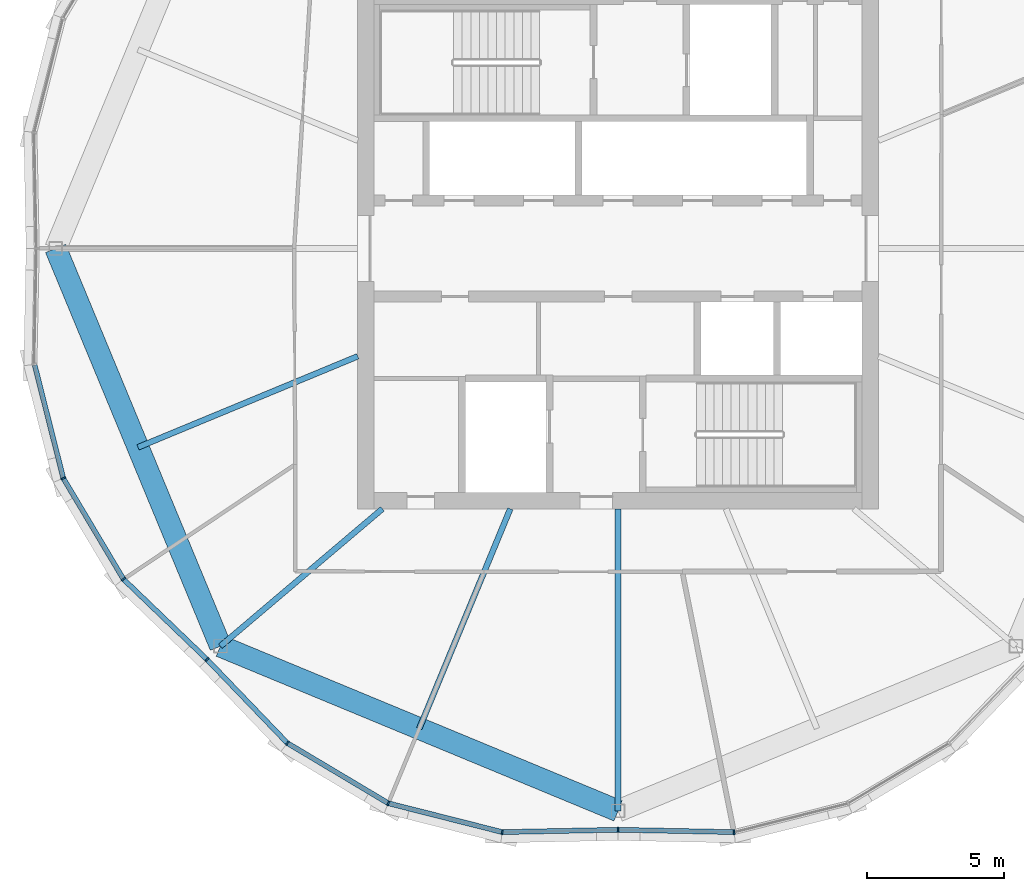
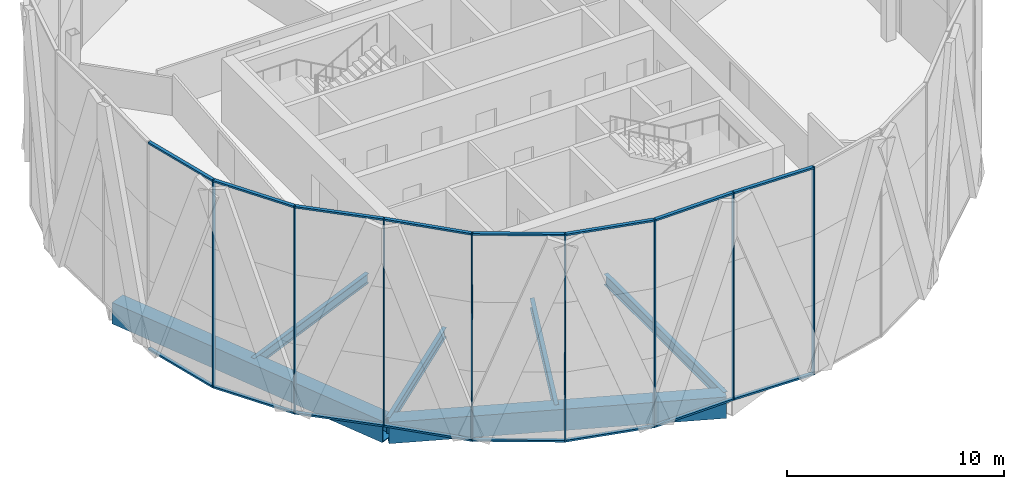
# One storey, part 3 of 25: 24 members, 6 beams, 3 elements without a shape of their own.
"""IFC4 building model written with IfcOpenShell, lengths in metres."""

from ifc_helpers import new_model, si_unit, direction, frame, origin, origin_2d, place, context, subcontext, project, spatial, rectangle, hollow_rectangle, i_section, extrude, material, material_profile, profile_set, type_object, element, aggregate, save


model = new_model("IFC4")

# Units and contexts
model_context = context("Model", 3, precision=1e-05, world=origin(), true_north=direction((0.0, 1.0)))
body_context = subcontext(model_context, "Body", "Model", "MODEL_VIEW")
ifc_project = project(units=[si_unit("LENGTHUNIT", "METRE"), si_unit("AREAUNIT", "SQUARE_METRE"), si_unit("VOLUMEUNIT", "CUBIC_METRE"), si_unit("PLANEANGLEUNIT", "RADIAN"), si_unit("MASSUNIT", "GRAM", prefix="KILO")], contexts=[model_context])

# Site, building, storey
site_placement = place(None, origin())
site = spatial("IfcSite", under=ifc_project, at=site_placement, CompositionType="ELEMENT")
building_placement = place(site_placement, origin())
building = spatial("IfcBuilding", under=site, at=building_placement, Name="Ogive Gate Towers", CompositionType="ELEMENT")
storey_placement = place(building_placement, frame((0.0, 0.0, 196.800048828125)))
storey = spatial("IfcBuildingStorey", under=building, at=storey_placement, Name="L47", CompositionType="ELEMENT", Elevation=196.800048828125)

# Beams
ifc_material_1 = material(Name="Steel SM460", Category="steel")
ifc_material_profile_1 = material_profile(ifc_material_1, hollow_rectangle(XDim=0.800048828125, YDim=1.199951171875, WallThickness=0.050048828125, at=origin_2d()), Name="BX 1200x800x50")
ifc_profile_set_1 = profile_set([ifc_material_profile_1], Name="Steel SM460")
beam_type_1 = type_object("IfcBeamType", Name="Edge girder BX 1200x800x50", PredefinedType="BEAM", material=ifc_profile_set_1)
for number, where, z_axis, x_axis, name in (
    (1, (-50.509765625, -14.509765625, -0.900146484375), (0.923877006731, -0.38268953008, 0.0), (0.38268953008, 0.923877006731, 0.0), "T1/L47/SBM017"),
    (2, (-56.52001953125, 0.0, -0.900146484375), (0.38268953008, -0.923877006731, 0.0), (0.923877006731, 0.38268953008, 0.0), "T1/L47/SBM024"),
):
    element("IfcBeam", number, at=place(storey_placement, frame(where, z_axis=z_axis, x_axis=x_axis)), inside=storey, type_object=beam_type_1, Name=name, PredefinedType="BEAM", context=body_context, shape_type="SweptSolid", body=[
        extrude(hollow_rectangle(XDim=0.800048828125, YDim=1.199951171875, WallThickness=0.050048828125, at=origin_2d()), origin(), (0.0, 0.0, 1.0), 15.705322265625),
    ])
ifc_material_2 = material(Name="Steel SM355", Category="steel")
ifc_material_profile_2 = material_profile(ifc_material_2, i_section(OverallWidth=0.2099609375, OverallDepth=0.550048828125, WebThickness=0.010986328125, FlangeThickness=0.01708984375, FilletRadius=0.02392578125, at=origin_2d()), Name="IPE 550")
ifc_profile_set_2 = profile_set([ifc_material_profile_2], Name="Steel SM355")
beam_type_2 = type_object("IfcBeamType", Name="Radial floor beam IPE 550", PredefinedType="BEAM", material=ifc_profile_set_2)
beam_1_placement = place(storey_placement, frame((-44.60009765625, -9.5, -0.574951171875), z_axis=(-0.762795484328, -0.64663981403, 0.0), x_axis=(0.64663981403, -0.762795484328, 0.0)))
element("IfcBeam", 3, at=beam_1_placement, inside=storey, type_object=beam_type_2, Name="T1/L47/SBM001", PredefinedType="BEAM", context=body_context, shape_type="SweptSolid", body=[
    extrude(i_section(OverallWidth=0.2099609375, OverallDepth=0.550048828125, WebThickness=0.010986328125, FlangeThickness=0.01708984375, FilletRadius=0.02392578125, at=origin_2d()), origin(), (0.0, 0.0, 1.0), 7.747314453125),
])
for number, where, z_axis, x_axis, name in (
    (4, (-39.93505859375, -9.5, -0.574951171875), (-0.382678218882, -0.92388169199, 0.0), (0.92388169199, -0.382678218882, 0.0), "T1/L47/SBM002"),
    (5, (-45.5, -3.93505859375, -0.574951171875), (-0.92388169199, -0.382678218882, 0.0), (0.382678218882, -0.92388169199, 0.0), "T1/L47/SBM016"),
):
    element("IfcBeam", number, at=place(storey_placement, frame(where, z_axis=z_axis, x_axis=x_axis)), inside=storey, type_object=beam_type_2, Name=name, PredefinedType="BEAM", context=body_context, shape_type="SweptSolid", body=[
        extrude(i_section(OverallWidth=0.2099609375, OverallDepth=0.550048828125, WebThickness=0.010986328125, FlangeThickness=0.01708984375, FilletRadius=0.02392578125, at=origin_2d()), origin(), (0.0, 0.0, 1.0), 8.67529296875),
    ])
ifc_material_profile_3 = material_profile(ifc_material_2, i_section(OverallWidth=0.219970703125, OverallDepth=0.60009765625, WebThickness=0.011962890625, FlangeThickness=0.01904296875, FilletRadius=0.02392578125, at=origin_2d()), Name="IPE 600")
ifc_profile_set_3 = profile_set([ifc_material_profile_3], Name="Steel SM355")
beam_type_3 = type_object("IfcBeamType", Name="Radial floor beam IPE 600", PredefinedType="BEAM", material=ifc_profile_set_3)
beam_2_placement = place(storey_placement, frame((-36.0, -9.5, -0.60009765625), z_axis=(0.0, -1.0, 0.0), x_axis=(1.0, 0.0, 0.0)))
element("IfcBeam", 6, at=beam_2_placement, inside=storey, type_object=beam_type_3, Name="T1/L47/SBM003", PredefinedType="BEAM", context=body_context, shape_type="SweptSolid", body=[
    extrude(i_section(OverallWidth=0.219970703125, OverallDepth=0.60009765625, WebThickness=0.011962890625, FlangeThickness=0.01904296875, FilletRadius=0.02392578125, at=origin_2d()), origin(), (0.0, 0.0, 1.0), 11.02001953125),
])

# Curtain wall, members
ifc_material_3 = material(Name="Pale metal aluminium", Category="aluminium")
curtain_wall_type = type_object("IfcCurtainWallType", Name="Tower unitised wall, high zone", PredefinedType="NOTDEFINED", material=ifc_material_3)
curtain_wall_1_placement = place(storey_placement, origin())
curtain_wall_1 = element("IfcCurtainWall", 7, at=curtain_wall_1_placement, inside=storey, type_object=curtain_wall_type, Name="CW2 T1 ECW05", PredefinedType="NOTDEFINED")
ifc_material_profile_4 = material_profile(ifc_material_3, rectangle(XDim=0.179931640625, YDim=0.06005859375, at=origin_2d()), Name="60 x 180 aluminium box")
ifc_profile_set_4 = profile_set([ifc_material_profile_4], Name="Pale metal aluminium")
member_type_1 = type_object("IfcMemberType", Name="Tower unitised wall, high zone mullion 60 x 180", PredefinedType="MULLION", material=ifc_profile_set_4)
member_1_placement = place(storey_placement, frame((-56.2431640625, -8.385009765625, -0.300048828125), z_axis=(0.0, 0.0, 1.0), x_axis=(-0.923879532511, -0.382683432365, 0.0)))
member_1 = element("IfcMember", 8, at=member_1_placement, type_object=member_type_1, Name="CW2 mullion", PredefinedType="MULLION", context=body_context, shape_type="SweptSolid", body=[
    extrude(rectangle(XDim=0.179931640625, YDim=0.06005859375, at=origin_2d()), origin(), (0.0, 0.0, 1.0), 11.699951171875),
])
member_2_placement = place(storey_placement, frame((-54.047607421875, -12.068115234375, -0.300048828125), z_axis=(0.0, 0.0, 1.0), x_axis=(-0.782879705596, -0.622173100162, 0.0)))
member_2 = element("IfcMember", 9, at=member_2_placement, type_object=member_type_1, Name="CW2 mullion", PredefinedType="MULLION", context=body_context, shape_type="SweptSolid", body=[
    extrude(rectangle(XDim=0.179931640625, YDim=0.06005859375, at=origin_2d()), origin(), (0.0, 0.0, 1.0), 11.699951171875),
])
member_3_placement = place(storey_placement, frame((-50.997802734375, -14.99755859375, -0.300048828125), z_axis=(0.0, 0.0, 1.0), x_axis=(-0.692785351302, -0.72114385321, 0.0)))
member_3 = element("IfcMember", 10, at=member_3_placement, type_object=member_type_1, Name="CW2 mullion", PredefinedType="MULLION", context=body_context, shape_type="SweptSolid", body=[
    extrude(rectangle(XDim=0.179931640625, YDim=0.06005859375, at=origin_2d()), origin(), (0.0, 0.0, 1.0), 11.699951171875),
])

curtain_wall_2_placement = place(storey_placement, origin())
curtain_wall_2 = element("IfcCurtainWall", 11, at=curtain_wall_2_placement, inside=storey, type_object=curtain_wall_type, Name="CW2 T1 ECW06", PredefinedType="NOTDEFINED")
member_4_placement = place(storey_placement, frame((-48.068115234375, -18.047607421875, -0.300048828125), z_axis=(0.0, 0.0, 1.0), x_axis=(-0.622173100162, -0.782879705596, 0.0)))
member_4 = element("IfcMember", 12, at=member_4_placement, type_object=member_type_1, Name="CW2 mullion", PredefinedType="MULLION", context=body_context, shape_type="SweptSolid", body=[
    extrude(rectangle(XDim=0.179931640625, YDim=0.06005859375, at=origin_2d()), origin(), (0.0, 0.0, 1.0), 11.699951171875),
])
member_5_placement = place(storey_placement, frame((-44.385009765625, -20.2431640625, -0.300048828125), z_axis=(0.0, 0.0, 1.0), x_axis=(-0.382683432365, -0.923879532511, 0.0)))
member_5 = element("IfcMember", 13, at=member_5_placement, type_object=member_type_1, Name="CW2 mullion", PredefinedType="MULLION", context=body_context, shape_type="SweptSolid", body=[
    extrude(rectangle(XDim=0.179931640625, YDim=0.06005859375, at=origin_2d()), origin(), (0.0, 0.0, 1.0), 11.699951171875),
])
member_6_placement = place(storey_placement, frame((-40.228271484375, -21.294921875, -0.300048828125), z_axis=(0.0, 0.0, 1.0), x_axis=(-0.113636730484, -0.993522366877, 0.0)))
member_6 = element("IfcMember", 14, at=member_6_placement, type_object=member_type_1, Name="CW2 mullion", PredefinedType="MULLION", context=body_context, shape_type="SweptSolid", body=[
    extrude(rectangle(XDim=0.179931640625, YDim=0.06005859375, at=origin_2d()), origin(), (0.0, 0.0, 1.0), 11.699951171875),
])
member_7_placement = place(storey_placement, frame((-36.000244140625, -21.2099609375, -0.300048828125), z_axis=(0.0, 0.0, 1.0), x_axis=(0.020052489003, -0.999798928628, 0.0)))
member_7 = element("IfcMember", 15, at=member_7_placement, type_object=member_type_1, Name="CW2 mullion", PredefinedType="MULLION", context=body_context, shape_type="SweptSolid", body=[
    extrude(rectangle(XDim=0.179931640625, YDim=0.06005859375, at=origin_2d()), origin(), (0.0, 0.0, 1.0), 11.699951171875),
])

# Curtain wall, member
curtain_wall_3_placement = place(storey_placement, origin())
curtain_wall_3 = element("IfcCurtainWall", 16, at=curtain_wall_3_placement, inside=storey, type_object=curtain_wall_type, Name="CW2 T1 ECW07", PredefinedType="NOTDEFINED")
member_8_placement = place(storey_placement, frame((-31.771728515625, -21.294921875, -0.300048828125), z_axis=(0.0, 0.0, 1.0), x_axis=(0.113636730484, -0.993522366877, 0.0)))
member_8 = element("IfcMember", 17, at=member_8_placement, type_object=member_type_1, Name="CW2 mullion", PredefinedType="MULLION", context=body_context, shape_type="SweptSolid", body=[
    extrude(rectangle(XDim=0.179931640625, YDim=0.06005859375, at=origin_2d()), origin(), (0.0, 0.0, 1.0), 11.699951171875),
])

# Member
ifc_material_profile_5 = material_profile(ifc_material_3, rectangle(XDim=0.179931640625, YDim=0.10009765625, at=origin_2d()), Name="100 x 180 aluminium box")
ifc_profile_set_5 = profile_set([ifc_material_profile_5], Name="Pale metal aluminium")
member_type_2 = type_object("IfcMemberType", Name="Tower unitised wall, high zone transom 100 x 180", PredefinedType="USERDEFINED", material=ifc_profile_set_5)
member_9_placement = place(storey_placement, frame((-57.28759765625, -4.255859375, 11.349853515625), z_axis=(0.245250248559, -0.969459806068, 0.0), x_axis=(0.969459806068, 0.245250248559, 0.0)))
member_9 = element("IfcMember", 18, at=member_9_placement, type_object=member_type_2, Name="CW2 transom", ObjectType="TRANSOM", PredefinedType="USERDEFINED", context=body_context, shape_type="SweptSolid", body=[
    extrude(rectangle(XDim=0.179931640625, YDim=0.10009765625, at=origin_2d()), origin(), (0.0, 0.0, 1.0), 4.230712890625),
])

member_10_placement = place(storey_placement, frame((-57.28759765625, -4.255859375, -0.25), z_axis=(0.245250248559, -0.969459806068, 0.0), x_axis=(0.969459806068, 0.245250248559, 0.0)))
member_10 = element("IfcMember", 19, at=member_10_placement, type_object=member_type_2, Name="CW2 transom", ObjectType="TRANSOM", PredefinedType="USERDEFINED", context=body_context, shape_type="SweptSolid", body=[
    extrude(rectangle(XDim=0.179931640625, YDim=0.10009765625, at=origin_2d()), origin(), (0.0, 0.0, 1.0), 4.230712890625),
])

member_11_placement = place(storey_placement, frame((-56.228515625, -8.409423828125, 11.349853515625), z_axis=(0.512057991899, -0.858950879232, 0.0), x_axis=(0.858950879232, 0.512057991899, 0.0)))
member_11 = element("IfcMember", 20, at=member_11_placement, type_object=member_type_2, Name="CW2 transom", ObjectType="TRANSOM", PredefinedType="USERDEFINED", context=body_context, shape_type="SweptSolid", body=[
    extrude(rectangle(XDim=0.179931640625, YDim=0.10009765625, at=origin_2d()), origin(), (0.0, 0.0, 1.0), 4.23046875),
])

member_12_placement = place(storey_placement, frame((-56.228515625, -8.409423828125, -0.25), z_axis=(0.512057991899, -0.858950879232, 0.0), x_axis=(0.858950879232, 0.512057991899, 0.0)))
member_12 = element("IfcMember", 21, at=member_12_placement, type_object=member_type_2, Name="CW2 transom", ObjectType="TRANSOM", PredefinedType="USERDEFINED", context=body_context, shape_type="SweptSolid", body=[
    extrude(rectangle(XDim=0.179931640625, YDim=0.10009765625, at=origin_2d()), origin(), (0.0, 0.0, 1.0), 4.23046875),
])

member_13_placement = place(storey_placement, frame((-54.02685546875, -12.087890625, 11.349853515625), z_axis=(0.721161485843, -0.692766996426, 0.0), x_axis=(0.692766996426, 0.721161485843, 0.0)))
member_13 = element("IfcMember", 22, at=member_13_placement, type_object=member_type_2, Name="CW2 transom", ObjectType="TRANSOM", PredefinedType="USERDEFINED", context=body_context, shape_type="SweptSolid", body=[
    extrude(rectangle(XDim=0.179931640625, YDim=0.10009765625, at=origin_2d()), origin(), (0.0, 0.0, 1.0), 4.170166015625),
])

member_14_placement = place(storey_placement, frame((-54.02685546875, -12.087890625, -0.25), z_axis=(0.721161485843, -0.692766996426, 0.0), x_axis=(0.692766996426, 0.721161485843, 0.0)))
member_14 = element("IfcMember", 23, at=member_14_placement, type_object=member_type_2, Name="CW2 transom", ObjectType="TRANSOM", PredefinedType="USERDEFINED", context=body_context, shape_type="SweptSolid", body=[
    extrude(rectangle(XDim=0.179931640625, YDim=0.10009765625, at=origin_2d()), origin(), (0.0, 0.0, 1.0), 4.170166015625),
])

aggregate(curtain_wall_1, [member_1, member_9, member_10, member_2, member_11, member_12, member_3, member_13, member_14])

member_15_placement = place(storey_placement, frame((-50.976806640625, -15.01953125, 11.349853515625), z_axis=(0.692766996426, -0.721161485843, 0.0), x_axis=(0.721161485843, 0.692766996426, 0.0)))
member_15 = element("IfcMember", 24, at=member_15_placement, type_object=member_type_2, Name="CW2 transom", ObjectType="TRANSOM", PredefinedType="USERDEFINED", context=body_context, shape_type="SweptSolid", body=[
    extrude(rectangle(XDim=0.179931640625, YDim=0.10009765625, at=origin_2d()), origin(), (0.0, 0.0, 1.0), 4.170166015625),
])

member_16_placement = place(storey_placement, frame((-50.976806640625, -15.01953125, -0.25), z_axis=(0.692766996426, -0.721161485843, 0.0), x_axis=(0.721161485843, 0.692766996426, 0.0)))
member_16 = element("IfcMember", 25, at=member_16_placement, type_object=member_type_2, Name="CW2 transom", ObjectType="TRANSOM", PredefinedType="USERDEFINED", context=body_context, shape_type="SweptSolid", body=[
    extrude(rectangle(XDim=0.179931640625, YDim=0.10009765625, at=origin_2d()), origin(), (0.0, 0.0, 1.0), 4.170166015625),
])

member_17_placement = place(storey_placement, frame((-48.043212890625, -18.062255859375, 11.349853515625), z_axis=(0.858950879232, -0.512057991899, 0.0), x_axis=(0.512057991899, 0.858950879232, 0.0)))
member_17 = element("IfcMember", 26, at=member_17_placement, type_object=member_type_2, Name="CW2 transom", ObjectType="TRANSOM", PredefinedType="USERDEFINED", context=body_context, shape_type="SweptSolid", body=[
    extrude(rectangle(XDim=0.179931640625, YDim=0.10009765625, at=origin_2d()), origin(), (0.0, 0.0, 1.0), 4.23046875),
])

member_18_placement = place(storey_placement, frame((-48.043212890625, -18.062255859375, -0.25), z_axis=(0.858950879232, -0.512057991899, 0.0), x_axis=(0.512057991899, 0.858950879232, 0.0)))
member_18 = element("IfcMember", 27, at=member_18_placement, type_object=member_type_2, Name="CW2 transom", ObjectType="TRANSOM", PredefinedType="USERDEFINED", context=body_context, shape_type="SweptSolid", body=[
    extrude(rectangle(XDim=0.179931640625, YDim=0.10009765625, at=origin_2d()), origin(), (0.0, 0.0, 1.0), 4.23046875),
])

member_19_placement = place(storey_placement, frame((-44.357421875, -20.25, 11.349853515625), z_axis=(0.969459806068, -0.245250248559, 0.0), x_axis=(0.245250248559, 0.969459806068, 0.0)))
member_19 = element("IfcMember", 28, at=member_19_placement, type_object=member_type_2, Name="CW2 transom", ObjectType="TRANSOM", PredefinedType="USERDEFINED", context=body_context, shape_type="SweptSolid", body=[
    extrude(rectangle(XDim=0.179931640625, YDim=0.10009765625, at=origin_2d()), origin(), (0.0, 0.0, 1.0), 4.230712890625),
])

member_20_placement = place(storey_placement, frame((-44.357421875, -20.25, -0.25), z_axis=(0.969459806068, -0.245250248559, 0.0), x_axis=(0.245250248559, 0.969459806068, 0.0)))
member_20 = element("IfcMember", 29, at=member_20_placement, type_object=member_type_2, Name="CW2 transom", ObjectType="TRANSOM", PredefinedType="USERDEFINED", context=body_context, shape_type="SweptSolid", body=[
    extrude(rectangle(XDim=0.179931640625, YDim=0.10009765625, at=origin_2d()), origin(), (0.0, 0.0, 1.0), 4.230712890625),
])

member_21_placement = place(storey_placement, frame((-40.199462890625, -21.294189453125, 11.349853515625), z_axis=(0.999799521205, 0.020022921839, 0.0), x_axis=(-0.020022921839, 0.999799521205, 0.0)))
member_21 = element("IfcMember", 30, at=member_21_placement, type_object=member_type_2, Name="CW2 transom", ObjectType="TRANSOM", PredefinedType="USERDEFINED", context=body_context, shape_type="SweptSolid", body=[
    extrude(rectangle(XDim=0.179931640625, YDim=0.10009765625, at=origin_2d()), origin(), (0.0, 0.0, 1.0), 4.169921875),
])

member_22_placement = place(storey_placement, frame((-40.199462890625, -21.294189453125, -0.25), z_axis=(0.999799521205, 0.020022921839, 0.0), x_axis=(-0.020022921839, 0.999799521205, 0.0)))
member_22 = element("IfcMember", 31, at=member_22_placement, type_object=member_type_2, Name="CW2 transom", ObjectType="TRANSOM", PredefinedType="USERDEFINED", context=body_context, shape_type="SweptSolid", body=[
    extrude(rectangle(XDim=0.179931640625, YDim=0.10009765625, at=origin_2d()), origin(), (0.0, 0.0, 1.0), 4.169921875),
])

aggregate(curtain_wall_2, [member_4, member_15, member_16, member_5, member_17, member_18, member_6, member_19, member_20, member_7, member_21, member_22])

member_23_placement = place(storey_placement, frame((-35.9697265625, -21.210693359375, 11.349853515625), z_axis=(0.999799521205, -0.020022921839, 0.0), x_axis=(0.020022921839, 0.999799521205, 0.0)))
member_23 = element("IfcMember", 32, at=member_23_placement, type_object=member_type_2, Name="CW2 transom", ObjectType="TRANSOM", PredefinedType="USERDEFINED", context=body_context, shape_type="SweptSolid", body=[
    extrude(rectangle(XDim=0.179931640625, YDim=0.10009765625, at=origin_2d()), origin(), (0.0, 0.0, 1.0), 4.169921875),
])

member_24_placement = place(storey_placement, frame((-35.9697265625, -21.210693359375, -0.25), z_axis=(0.999799521205, -0.020022921839, 0.0), x_axis=(0.020022921839, 0.999799521205, 0.0)))
member_24 = element("IfcMember", 33, at=member_24_placement, type_object=member_type_2, Name="CW2 transom", ObjectType="TRANSOM", PredefinedType="USERDEFINED", context=body_context, shape_type="SweptSolid", body=[
    extrude(rectangle(XDim=0.179931640625, YDim=0.10009765625, at=origin_2d()), origin(), (0.0, 0.0, 1.0), 4.169921875),
])

aggregate(curtain_wall_3, [member_8, member_23, member_24])

save(model, "model.ifc")
